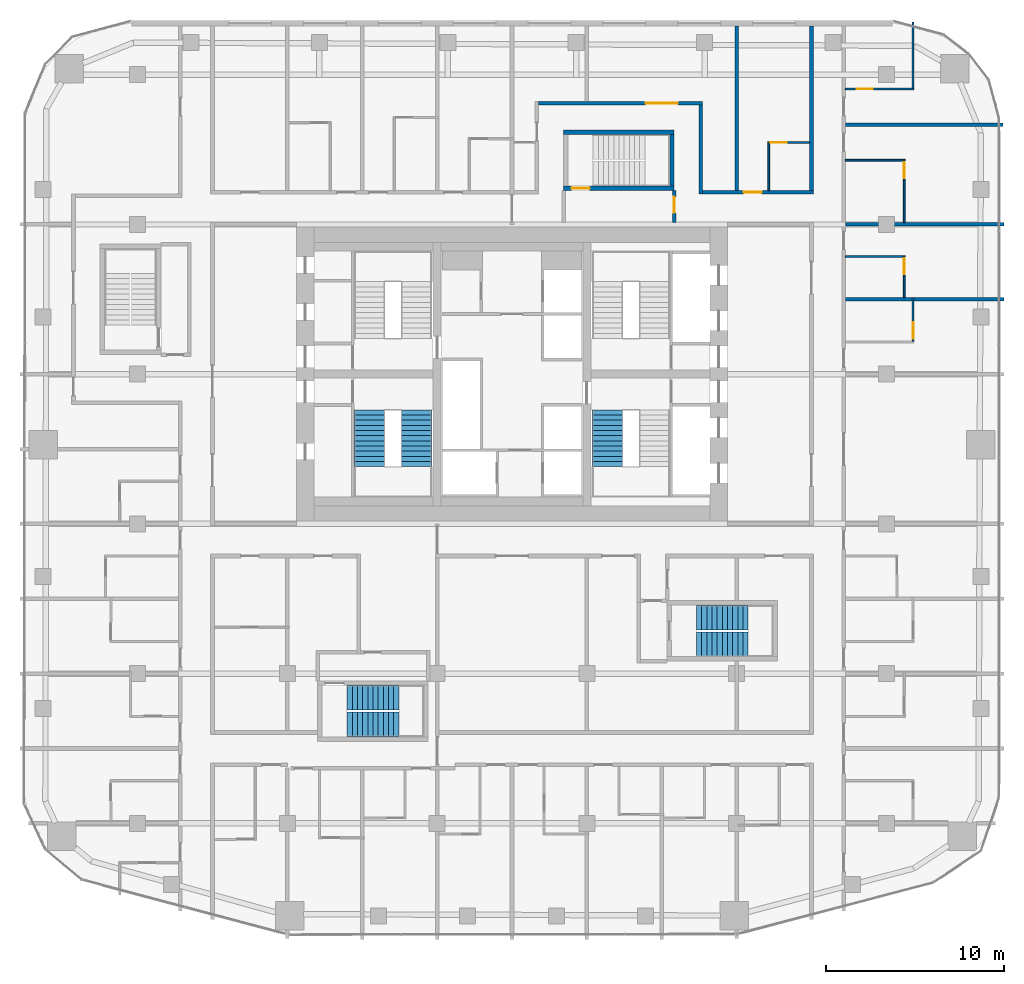
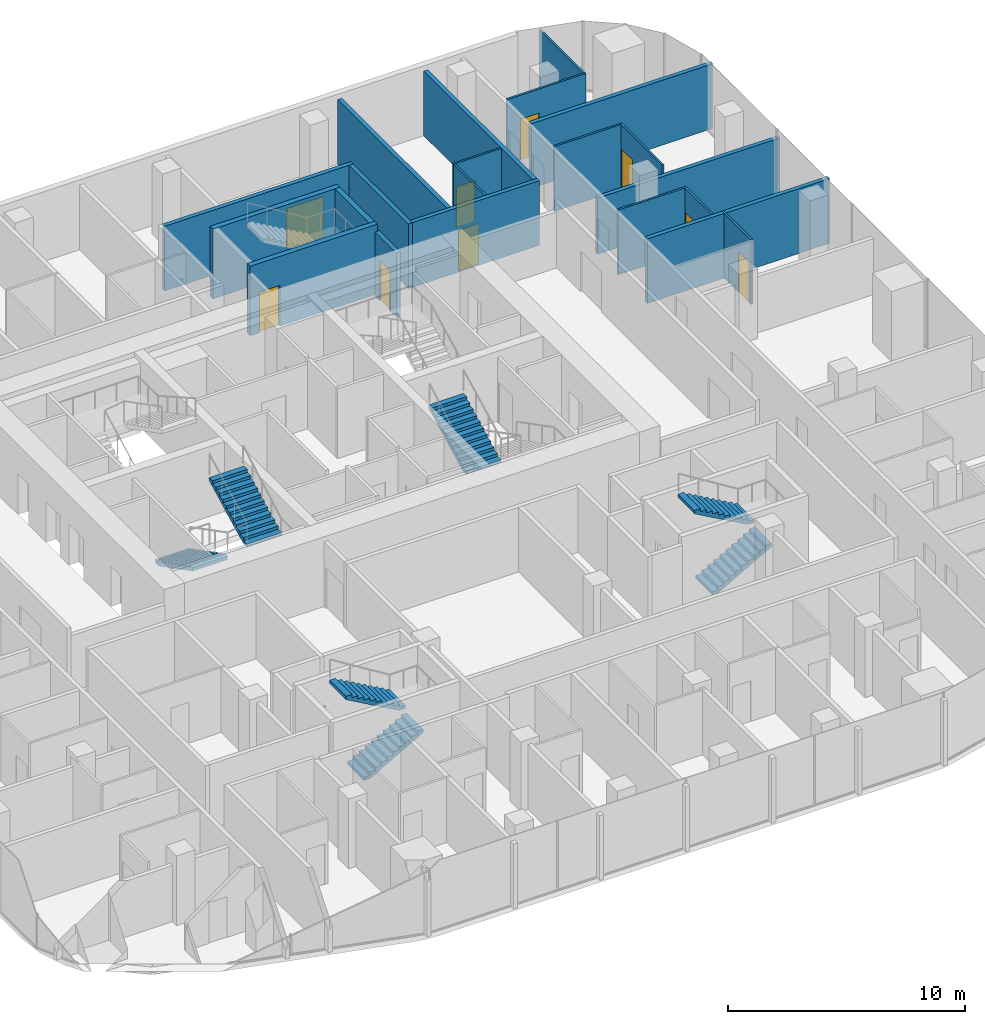
# One storey, part 20 of 23: 21 walls, 9 doors, 7 stair flights, 9 openings, 4 elements without a shape of their own.
"""IFC4 building model written with IfcOpenShell, lengths in metres."""

import ifcopenshell
import ifcopenshell.guid

model = None  # the IFC model being written
_history = None  # IfcOwnerHistory: only IFC2X3 demands one
_inside = {}  # id of a spatial element -> (the spatial element, [elements in it])
_under = {}  # id of a project, library or spatial element -> (it, [spatial elements below it])
_declared = {}  # id of a project -> (the project, [libraries it declares])
_typed = {}  # id of a type object -> (the type object, [elements of that type])
_made_of = {}  # id of a material, layer set ... -> (it, [elements and type objects made of it])


def new_model(schema):
    """Start an empty IFC model of exactly this schema.

    Asked for "IFC4X3", IfcOpenShell would pick the latest addendum, in which some entities
    have other attributes; the version numbers below select the first issue.
    IFC2X3 requires an IfcOwnerHistory on every rooted entity: one is made here for all.
    """
    global model, _history
    if schema == "IFC4X3":
        model = ifcopenshell.file(schema_version=(4, 3, 0, 0))
    else:
        model = ifcopenshell.file(schema=schema)
    _inside.clear()
    _under.clear()
    _declared.clear()
    _typed.clear()
    _made_of.clear()
    _history = None
    if model.schema == "IFC2X3":
        org = make("IfcOrganization", Name="unknown")
        user = make(
            "IfcPersonAndOrganization",
            ThePerson=make("IfcPerson", FamilyName="unknown"),
            TheOrganization=org,
        )
        app = make(
            "IfcApplication",
            ApplicationDeveloper=org,
            Version="unknown",
            ApplicationFullName="unknown",
            ApplicationIdentifier="unknown",
        )
        _history = make(
            "IfcOwnerHistory",
            OwningUser=user,
            OwningApplication=app,
            ChangeAction="ADDED",
            CreationDate=0,
        )
    return model


def make(cls, **values):
    """One entity of the class cls with the attributes given. An attribute that is None is left unset."""
    return model.create_entity(
        cls, **{name: value for name, value in values.items() if value is not None}
    )


def rooted(cls, **values):
    """An entity with a GlobalId (a new one), such as an element, a storey or a relation."""
    return make(cls, GlobalId=ifcopenshell.guid.new(), OwnerHistory=_history, **values)


def si_unit(unit_type, name, prefix=None):
    """IfcSIUnit, for example si_unit("LENGTHUNIT", "METRE", prefix="MILLI")."""
    return make("IfcSIUnit", UnitType=unit_type, Prefix=prefix, Name=name)


def assignment(units):
    """IfcUnitAssignment: the units of a project."""
    return None if units is None else make("IfcUnitAssignment", Units=units)


def point(xyz):
    """IfcCartesianPoint."""
    return None if xyz is None else make("IfcCartesianPoint", Coordinates=xyz)


def direction(xyz):
    """IfcDirection."""
    return None if xyz is None else make("IfcDirection", DirectionRatios=xyz)


def frame(location, z_axis=None, x_axis=None):
    """IfcAxis2Placement3D, a coordinate frame: its origin and axes. An axis left out is left unset."""
    return make(
        "IfcAxis2Placement3D",
        Location=point(location),
        Axis=direction(z_axis),
        RefDirection=direction(x_axis),
    )


def frame_2d(location, x_axis=None):
    """IfcAxis2Placement2D, a coordinate frame in the plane: its origin and x axis."""
    return make(
        "IfcAxis2Placement2D", Location=point(location), RefDirection=direction(x_axis)
    )


def origin():
    """The frame at (0, 0, 0) with its axes left unset."""
    return frame((0.0, 0.0, 0.0))


def place(relative_to, where):
    """IfcLocalPlacement: puts the frame where relative to a parent placement (None: the world)."""
    return make(
        "IfcLocalPlacement", PlacementRelTo=relative_to, RelativePlacement=where
    )


def context(
    kind, dimensions, precision=None, world=None, true_north=None, identifier=None
):
    """IfcGeometricRepresentationContext, for example the 3D "Model" context."""
    return make(
        "IfcGeometricRepresentationContext",
        ContextIdentifier=identifier,
        ContextType=kind,
        CoordinateSpaceDimension=dimensions,
        Precision=precision,
        WorldCoordinateSystem=world,
        TrueNorth=true_north,
    )


def subcontext(parent, identifier, kind, view, scale=None):
    """IfcGeometricRepresentationSubContext, for example "Body" below "Model"."""
    return make(
        "IfcGeometricRepresentationSubContext",
        ContextIdentifier=identifier,
        ContextType=kind,
        ParentContext=parent,
        TargetScale=scale,
        TargetView=view,
    )


def project(units=None, contexts=None):
    """IfcProject with its units and contexts."""
    return rooted(
        "IfcProject",
        Name="project",
        RepresentationContexts=contexts,
        UnitsInContext=assignment(units),
    )


def spatial(cls, under=None, at=None, **own):
    """A site, building, storey or space (cls), placed at a placement, below another one or the project."""
    s = rooted(cls, ObjectPlacement=at, **own)
    if under is not None:
        _under.setdefault(under.id(), (under, []))[1].append(s)
    return s


def polyline(points):
    """IfcPolyline through the points."""
    return make("IfcPolyline", Points=[point(p) for p in points])


def profile(cls, at=None, kind="AREA", **sizes):
    """A parametric profile (cls). Its sizes go by their IFC names, for example OverallWidth=200.0."""
    return make(cls, ProfileType=kind, Position=at, **sizes)


def rectangle(**sizes):
    """IfcRectangleProfileDef."""
    return profile("IfcRectangleProfileDef", **sizes)


def outline(outer, holes=None, kind="AREA"):
    """IfcArbitraryClosedProfileDef: a profile drawn as a closed curve; with holes, ...WithVoids."""
    if holes is None:
        return make("IfcArbitraryClosedProfileDef", ProfileType=kind, OuterCurve=outer)
    return make(
        "IfcArbitraryProfileDefWithVoids",
        ProfileType=kind,
        OuterCurve=outer,
        InnerCurves=holes,
    )


def extrude(swept, where, along, depth):
    """IfcExtrudedAreaSolid: the profile swept, set in the frame where, extruded along a direction by depth."""
    return make(
        "IfcExtrudedAreaSolid",
        SweptArea=swept,
        Position=where,
        ExtrudedDirection=direction(along),
        Depth=depth,
    )


def shape(context_of_items, identifier, shape_type, items):
    """IfcShapeRepresentation: the items that make up one representation, for example the "Body"."""
    return make(
        "IfcShapeRepresentation",
        ContextOfItems=context_of_items,
        RepresentationIdentifier=identifier,
        RepresentationType=shape_type,
        Items=items,
    )


def material(Name=None, Category=None):
    """IfcMaterial."""
    return make("IfcMaterial", Name=Name, Category=Category)


def layer(
    of_material, thickness, ventilated=None, Name=None, Category=None, Priority=None
):
    """IfcMaterialLayer: one layer of a wall or slab, of a material (None: an air gap)."""
    return make(
        "IfcMaterialLayer",
        Material=of_material,
        LayerThickness=thickness,
        IsVentilated=ventilated,
        Name=Name,
        Category=Category,
        Priority=Priority,
    )


def layer_set(layers, Name=None):
    """IfcMaterialLayerSet."""
    return make("IfcMaterialLayerSet", MaterialLayers=layers, LayerSetName=Name)


def made_of(thing, what):
    """Note that an element or type object is made of a material, layer set ...; save() writes the relation."""
    if what is not None:
        _made_of.setdefault(what.id(), (what, []))[1].append(thing)
    return thing


def type_object(cls, material=None, **own):
    """A type object (cls), such as IfcWallType, which elements share."""
    return made_of(rooted(cls, **own), material)


def element(
    cls,
    number,
    at=None,
    inside=None,
    cuts=None,
    type_object=None,
    material=None,
    context=None,
    identifier="Body",
    shape_type=None,
    held_by="IfcProductDefinitionShape",
    body=None,
    shapes=None,
    **own,
):
    """One element of the class cls, such as IfcWall. Its Tag is "e" and its number.

    at: its placement. inside: the storey or other place that contains it. cuts: it is an
    opening in that element (IfcRelVoidsElement). A single representation is given by context,
    identifier, shape_type and body (its items); several are given by shapes. held_by: the class
    of the entity that holds the representations. save() writes the other relations.
    """
    e = rooted(cls, Tag="e%d" % number, ObjectPlacement=at, **own)
    if body is not None:
        shapes = [shape(context, identifier, shape_type, body)]
    if shapes is not None:
        e.Representation = make(held_by, Representations=shapes)
    if inside is not None:
        _inside.setdefault(inside.id(), (inside, []))[1].append(e)
    if cuts is not None:
        rooted(
            "IfcRelVoidsElement", RelatingBuildingElement=cuts, RelatedOpeningElement=e
        )
    if type_object is not None:
        _typed.setdefault(type_object.id(), (type_object, []))[1].append(e)
    return made_of(e, material)


def fill(opening, filler):
    """IfcRelFillsElement: the door or window that sits in an opening."""
    return rooted(
        "IfcRelFillsElement",
        RelatingOpeningElement=opening,
        RelatedBuildingElement=filler,
    )


def aggregate(whole, parts):
    """IfcRelAggregates: a whole, such as a stair, and the parts it consists of."""
    return rooted("IfcRelAggregates", RelatingObject=whole, RelatedObjects=parts)


def save(model, path):
    """Write the relations noted so far, then the file.

    IfcRelAggregates (storeys below a building ...), IfcRelContainedInSpatialStructure (elements
    in a storey), IfcRelDefinesByType, IfcRelAssociatesMaterial and IfcRelDeclares: one each for
    every whole, place, type object, material and project.
    """
    for whole, parts in _under.values():
        aggregate(whole, parts)
    for where, things in _inside.values():
        rooted(
            "IfcRelContainedInSpatialStructure",
            RelatedElements=things,
            RelatingStructure=where,
        )
    for kind, things in _typed.values():
        rooted("IfcRelDefinesByType", RelatedObjects=things, RelatingType=kind)
    for what, things in _made_of.values():
        rooted("IfcRelAssociatesMaterial", RelatedObjects=things, RelatingMaterial=what)
    for by, libraries in _declared.values():
        rooted("IfcRelDeclares", RelatingContext=by, RelatedDefinitions=libraries)
    model.write(path)


model = new_model("IFC4")

# Units and contexts
model_context = context("Model", 3, precision=1e-05, world=origin(), true_north=direction((0.0, 1.0)))
body_context = subcontext(model_context, "Body", "Model", "MODEL_VIEW")
ifc_project = project(units=[si_unit("LENGTHUNIT", "METRE"), si_unit("AREAUNIT", "SQUARE_METRE"), si_unit("VOLUMEUNIT", "CUBIC_METRE"), si_unit("PLANEANGLEUNIT", "RADIAN"), si_unit("MASSUNIT", "GRAM", prefix="KILO")], contexts=[model_context])

# Site, building, storey
site_placement = place(None, origin())
site = spatial("IfcSite", under=ifc_project, at=site_placement, CompositionType="ELEMENT")
building_placement = place(site_placement, origin())
building = spatial("IfcBuilding", under=site, at=building_placement, Name="Marenta Gate Hotel Tower", CompositionType="ELEMENT")
storey_placement = place(building_placement, frame((0.0, 0.0, 104.89990234375)))
storey = spatial("IfcBuildingStorey", under=building, at=storey_placement, Name="L22", CompositionType="ELEMENT", Elevation=104.89990234375)

# Wall, opening, door
ifc_material_1 = material(Name="Concrete C40", Category="concrete")
ifc_layer_1 = layer(ifc_material_1, 0.25)
ifc_layer_set_1 = layer_set([ifc_layer_1], Name="Concrete C40")
wall_type_1 = type_object("IfcWallType", Name="Remote stair enclosure wall 250 REI 180", PredefinedType="SHEAR", material=ifc_layer_set_1)
wall_1_placement = place(storey_placement, frame((2.89990234375, 18.824951171875, 0.10009765625), z_axis=(0.0, 0.0, 1.0), x_axis=(1.0, 0.0, 0.0)))
wall_1 = element("IfcWall", 1, at=wall_1_placement, inside=storey, type_object=wall_type_1, Name="L22-RS-Z2-4-W1", PredefinedType="SHEAR", context=body_context, shape_type="SweptSolid", body=[
    extrude(rectangle(XDim=6.2001953125, YDim=0.25, at=frame_2d((3.10009765625, 0.0))), origin(), (0.0, 0.0, 1.0), 3.60009765625),
])
opening_1_placement = place(wall_1_placement, frame((0.449951171875, 0.0, 0.0)))
opening_1 = element("IfcOpeningElement", 2, at=opening_1_placement, cuts=wall_1, Name="Opening VD", PredefinedType="OPENING", context=body_context, shape_type="SweptSolid", body=[
    extrude(rectangle(XDim=1.0, YDim=2.10009765625, at=frame_2d((0.5, 1.050048828125))), frame((0.0, 0.125, 0.0), z_axis=(0.0, -1.0, 0.0), x_axis=(1.0, 0.0, 0.0)), (0.0, 0.0, 1.0), 0.25),
])
ifc_material_2 = material(Name="Steel", Category="steel")
door_type_1 = type_object("IfcDoorType", Name="Stair vestibule door 1000x2100 FD60", OperationType="SINGLE_SWING_LEFT", PredefinedType="DOOR", material=ifc_material_2)
door_1_placement = place(opening_1_placement, origin())
door_1 = element("IfcDoor", 3, at=door_1_placement, inside=storey, type_object=door_type_1, Name="VD", OperationType="SINGLE_SWING_LEFT", OverallHeight=2.10009765625, OverallWidth=1.0, PredefinedType="DOOR", context=body_context, shape_type="SweptSolid", body=[
    extrude(rectangle(XDim=1.0, YDim=2.10009765625, at=frame_2d((0.5, 1.050048828125))), frame((0.0, 0.02490234375, 0.0), z_axis=(0.0, -1.0, 0.0), x_axis=(1.0, 0.0, 0.0)), (0.0, 0.0, 1.0), 0.050048828125),
])
fill(opening_1, door_1)

# Walls
wall_2_placement = place(storey_placement, frame((2.89990234375, 21.97509765625, 0.10009765625), z_axis=(0.0, 0.0, 1.0), x_axis=(1.0, 0.0, 0.0)))
element("IfcWall", 4, at=wall_2_placement, inside=storey, type_object=wall_type_1, Name="L22-RS-Z2-4-W2", PredefinedType="SHEAR", context=body_context, shape_type="SweptSolid", body=[
    extrude(rectangle(XDim=6.2001953125, YDim=0.25, at=frame_2d((3.10009765625, 0.0))), origin(), (0.0, 0.0, 1.0), 3.60009765625),
])
wall_3_placement = place(storey_placement, frame((8.97509765625, 18.949951171875, 0.10009765625), z_axis=(0.0, 0.0, 1.0), x_axis=(0.0, 1.0, 0.0)))
element("IfcWall", 5, at=wall_3_placement, inside=storey, type_object=wall_type_1, Name="L22-RS-Z2-4-W4", PredefinedType="SHEAR", context=body_context, shape_type="SweptSolid", body=[
    extrude(rectangle(XDim=2.900146484375, YDim=0.25, at=frame_2d((1.4501953125, 0.0))), origin(), (0.0, 0.0, 1.0), 3.60009765625),
])
ifc_material_3 = material(Name="Gypsum board on steel stud", Category="steel")
ifc_layer_2 = layer(ifc_material_3, 0.199951171875)
ifc_layer_set_2 = layer_set([ifc_layer_2], Name="Gypsum board on steel stud")
wall_type_2 = type_object("IfcWallType", Name="Room corridor wall 200 EI 60", PredefinedType="PARTITIONING", material=ifc_layer_set_2)
wall_4_placement = place(storey_placement, frame((16.800048828125, 18.699951171875, 0.0), z_axis=(0.0, 0.0, 1.0), x_axis=(0.0, 1.0, 0.0)))
element("IfcWall", 6, at=wall_4_placement, inside=storey, type_object=wall_type_2, Name="L22-PTN-W018", PredefinedType="PARTITIONING", context=body_context, shape_type="SweptSolid", body=[
    extrude(rectangle(XDim=9.239990234375, YDim=0.199951171875, at=frame_2d((4.6201171875, 0.0))), origin(), (0.0, 0.0, 1.0), 3.340087890625),
])
wall_5_placement = place(storey_placement, frame((10.60009765625, 18.5, 0.0), z_axis=(0.0, 0.0, 1.0), x_axis=(0.0, 1.0, 0.0)))
element("IfcWall", 7, at=wall_5_placement, inside=storey, type_object=wall_type_2, Name="L22-PTN-W042", PredefinedType="PARTITIONING", context=body_context, shape_type="SweptSolid", body=[
    extrude(rectangle(XDim=5.0, YDim=0.199951171875, at=frame_2d((2.5, 0.0))), origin(), (0.0, 0.0, 1.0), 3.340087890625),
])

# Wall, opening, door
wall_6_placement = place(storey_placement, frame((10.699951171875, 18.60009765625, 0.0), z_axis=(0.0, 0.0, 1.0), x_axis=(1.0, 0.0, 0.0)))
wall_6 = element("IfcWall", 8, at=wall_6_placement, inside=storey, type_object=wall_type_2, Name="L22-PTN-W113", PredefinedType="PARTITIONING", context=body_context, shape_type="SweptSolid", body=[
    extrude(rectangle(XDim=6.199951171875, YDim=0.199951171875, at=frame_2d((3.10009765625, 0.0))), origin(), (0.0, 0.0, 1.0), 3.340087890625),
])
opening_2_placement = place(wall_6_placement, frame((2.300048828125, 0.0, 0.0)))
opening_2 = element("IfcOpeningElement", 9, at=opening_2_placement, cuts=wall_6, Name="Opening G08-35", PredefinedType="OPENING", context=body_context, shape_type="SweptSolid", body=[
    extrude(rectangle(XDim=1.0, YDim=2.10009765625, at=frame_2d((0.5, 1.050048828125))), frame((0.0, 0.10009765625, 0.0), z_axis=(0.0, -1.0, 0.0), x_axis=(1.0, 0.0, 0.0)), (0.0, 0.0, 1.0), 0.199951171875),
])
ifc_material_4 = material(Name="Timber door leaf", Category="wood")
door_type_2 = type_object("IfcDoorType", Name="Guest room door 1000x2100 EI 30", OperationType="NOTDEFINED", PredefinedType="DOOR", material=ifc_material_4)
door_2_placement = place(opening_2_placement, origin())
door_2 = element("IfcDoor", 10, at=door_2_placement, inside=storey, type_object=door_type_2, Name="L22-PD-D035", OperationType="SINGLE_SWING_RIGHT", OverallHeight=2.10009765625, OverallWidth=1.0, PredefinedType="DOOR", context=body_context, shape_type="SweptSolid", body=[
    extrude(rectangle(XDim=1.0, YDim=2.10009765625, at=frame_2d((0.5, 1.050048828125))), frame((0.0, 0.02490234375, 0.0), z_axis=(0.0, -1.0, 0.0), x_axis=(1.0, 0.0, 0.0)), (0.0, 0.0, 1.0), 0.050048828125),
])
fill(opening_2, door_2)

wall_7_placement = place(storey_placement, frame((1.5, 23.60009765625, 0.0), z_axis=(0.0, 0.0, 1.0), x_axis=(1.0, 0.0, 0.0)))
wall_7 = element("IfcWall", 11, at=wall_7_placement, inside=storey, type_object=wall_type_2, Name="L22-PTN-W127", PredefinedType="PARTITIONING", context=body_context, shape_type="SweptSolid", body=[
    extrude(rectangle(XDim=9.199951171875, YDim=0.199951171875, at=frame_2d((4.60009765625, 0.0))), origin(), (0.0, 0.0, 1.0), 3.340087890625),
])
opening_3_placement = place(wall_7_placement, frame((6.0, 0.0, 0.0)))
opening_3 = element("IfcOpeningElement", 12, at=opening_3_placement, cuts=wall_7, Name="Opening G08-34", PredefinedType="OPENING", context=body_context, shape_type="SweptSolid", body=[
    extrude(rectangle(XDim=1.800048828125, YDim=2.10009765625, at=frame_2d((0.89990234375, 1.050048828125))), frame((0.0, 0.10009765625, 0.0), z_axis=(0.0, -1.0, 0.0), x_axis=(1.0, 0.0, 0.0)), (0.0, 0.0, 1.0), 0.199951171875),
])
ifc_material_5 = material(Name="Timber door leaf", Category="wood")
door_type_3 = type_object("IfcDoorType", Name="Room amenity door 1800x2100 EI 30", OperationType="DOUBLE_DOOR_SINGLE_SWING", PredefinedType="DOOR", material=ifc_material_5)
door_3_placement = place(opening_3_placement, origin())
door_3 = element("IfcDoor", 13, at=door_3_placement, inside=storey, type_object=door_type_3, Name="L22-PD-D034", OperationType="DOUBLE_DOOR_SINGLE_SWING", OverallHeight=2.10009765625, OverallWidth=1.800048828125, PredefinedType="DOOR", context=body_context, shape_type="SweptSolid", body=[
    extrude(rectangle(XDim=1.800048828125, YDim=2.10009765625, at=frame_2d((0.89990234375, 1.050048828125))), frame((0.0, 0.02490234375, 0.0), z_axis=(0.0, -1.0, 0.0), x_axis=(1.0, 0.0, 0.0)), (0.0, 0.0, 1.0), 0.050048828125),
])
fill(opening_3, door_3)

ifc_material_6 = material(Name="Concrete blockwork", Category="masonry")
ifc_layer_3 = layer(ifc_material_6, 0.199951171875)
ifc_layer_set_3 = layer_set([ifc_layer_3], Name="Concrete blockwork")
wall_type_3 = type_object("IfcWallType", Name="Room corridor wall 200 REI 180", PredefinedType="PARTITIONING", material=ifc_layer_set_3)
wall_8_placement = place(storey_placement, frame((9.10009765625, 16.89990234375, 0.0), z_axis=(0.0, 0.0, 1.0), x_axis=(0.0, 1.0, 0.0)))
wall_8 = element("IfcWall", 14, at=wall_8_placement, inside=storey, type_object=wall_type_3, Name="L22-PTN-W043", PredefinedType="PARTITIONING", context=body_context, shape_type="SweptSolid", body=[
    extrude(rectangle(XDim=1.800048828125, YDim=0.199951171875, at=frame_2d((0.89990234375, 0.0))), origin(), (0.0, 0.0, 1.0), 3.340087890625),
])
opening_4_placement = place(wall_8_placement, frame((0.550048828125, 0.0, 0.0)))
opening_4 = element("IfcOpeningElement", 15, at=opening_4_placement, cuts=wall_8, Name="Opening G08-69", PredefinedType="OPENING", context=body_context, shape_type="SweptSolid", body=[
    extrude(rectangle(XDim=0.89990234375, YDim=2.10009765625, at=frame_2d((0.449951171875, 1.050048828125))), frame((0.0, 0.10009765625, 0.0), z_axis=(0.0, -1.0, 0.0), x_axis=(1.0, 0.0, 0.0)), (0.0, 0.0, 1.0), 0.199951171875),
])
ifc_material_7 = material(Name="Hollow steel door set", Category="steel")
door_type_4 = type_object("IfcDoorType", Name="Stair vestibule door 900x2100 EI 60", OperationType="NOTDEFINED", PredefinedType="DOOR", material=ifc_material_7)
door_4_placement = place(opening_4_placement, origin())
door_4 = element("IfcDoor", 16, at=door_4_placement, inside=storey, type_object=door_type_4, Name="L22-PD-D069", OperationType="SINGLE_SWING_RIGHT", OverallHeight=2.10009765625, OverallWidth=0.89990234375, PredefinedType="DOOR", context=body_context, shape_type="SweptSolid", body=[
    extrude(rectangle(XDim=0.89990234375, YDim=2.10009765625, at=frame_2d((0.449951171875, 1.050048828125))), frame((0.0, 0.02490234375, 0.0), z_axis=(0.0, -1.0, 0.0), x_axis=(1.0, 0.0, 0.0)), (0.0, 0.0, 1.0), 0.050048828125),
])
fill(opening_4, door_4)

ifc_material_8 = material(Name="Gypsum board on steel stud", Category="steel")
ifc_layer_4 = layer(ifc_material_8, 0.10009765625)
ifc_layer_set_4 = layer_set([ifc_layer_4], Name="Gypsum board on steel stud")
wall_type_4 = type_object("IfcWallType", Name="Room partition 100", PredefinedType="PARTITIONING", material=ifc_layer_set_4)
wall_9_placement = place(storey_placement, frame((22.5, 10.25, 0.0), z_axis=(0.0, 0.0, 1.0), x_axis=(0.0, 1.0, 0.0)))
wall_9 = element("IfcWall", 17, at=wall_9_placement, inside=storey, type_object=wall_type_4, Name="L22-PTN-W003", PredefinedType="PARTITIONING", context=body_context, shape_type="SweptSolid", body=[
    extrude(rectangle(XDim=2.449951171875, YDim=0.10009765625, at=frame_2d((1.22509765625, 0.0))), origin(), (0.0, 0.0, 1.0), 3.340087890625),
])
opening_5_placement = place(wall_9_placement, frame((0.14990234375, 0.0, 0.0)))
opening_5 = element("IfcOpeningElement", 18, at=opening_5_placement, cuts=wall_9, Name="Opening G08-18", PredefinedType="OPENING", context=body_context, shape_type="SweptSolid", body=[
    extrude(rectangle(XDim=0.89990234375, YDim=2.10009765625, at=frame_2d((0.449951171875, 1.050048828125))), frame((0.0, 0.050048828125, 0.0), z_axis=(0.0, -1.0, 0.0), x_axis=(1.0, 0.0, 0.0)), (0.0, 0.0, 1.0), 0.10009765625),
])
ifc_material_9 = material(Name="Timber door leaf", Category="wood")
door_type_5 = type_object("IfcDoorType", Name="Guest bathroom door 900x2100", OperationType="NOTDEFINED", PredefinedType="DOOR", material=ifc_material_9)
door_5_placement = place(opening_5_placement, origin())
door_5 = element("IfcDoor", 19, at=door_5_placement, inside=storey, type_object=door_type_5, Name="L22-PD-D018", OperationType="SINGLE_SWING_LEFT", OverallHeight=2.10009765625, OverallWidth=0.89990234375, PredefinedType="DOOR", context=body_context, shape_type="SweptSolid", body=[
    extrude(rectangle(XDim=0.89990234375, YDim=2.10009765625, at=frame_2d((0.449951171875, 1.050048828125))), frame((0.0, 0.02490234375, 0.0), z_axis=(0.0, -1.0, 0.0), x_axis=(1.0, 0.0, 0.0)), (0.0, 0.0, 1.0), 0.050048828125),
])
fill(opening_5, door_5)

# Wall
wall_10_placement = place(storey_placement, frame((22.5, 24.449951171875, 0.0), z_axis=(0.0, 0.0, 1.0), x_axis=(0.0, 1.0, 0.0)))
element("IfcWall", 20, at=wall_10_placement, inside=storey, type_object=wall_type_4, Name="L22-PTN-W004", PredefinedType="PARTITIONING", context=body_context, shape_type="SweptSolid", body=[
    extrude(rectangle(XDim=3.692138671875, YDim=0.10009765625, at=frame_2d((1.84619140625, 0.0))), origin(), (0.0, 0.0, 1.0), 3.340087890625),
])

# Wall, opening, door
wall_11_placement = place(storey_placement, frame((22.0, 12.699951171875, 0.0), z_axis=(0.0, 0.0, 1.0), x_axis=(0.0, 1.0, 0.0)))
wall_11 = element("IfcWall", 21, at=wall_11_placement, inside=storey, type_object=wall_type_4, Name="L22-PTN-W006", PredefinedType="PARTITIONING", context=body_context, shape_type="SweptSolid", body=[
    extrude(rectangle(XDim=2.35009765625, YDim=0.10009765625, at=frame_2d((1.175048828125, 0.0))), origin(), (0.0, 0.0, 1.0), 3.340087890625),
])
opening_6_placement = place(wall_11_placement, frame((1.300048828125, 0.0, 0.0)))
opening_6 = element("IfcOpeningElement", 22, at=opening_6_placement, cuts=wall_11, Name="Opening G08-20", PredefinedType="OPENING", context=body_context, shape_type="SweptSolid", body=[
    extrude(rectangle(XDim=0.89990234375, YDim=2.10009765625, at=frame_2d((0.449951171875, 1.050048828125))), frame((0.0, 0.050048828125, 0.0), z_axis=(0.0, -1.0, 0.0), x_axis=(1.0, 0.0, 0.0)), (0.0, 0.0, 1.0), 0.10009765625),
])
door_6_placement = place(opening_6_placement, origin())
door_6 = element("IfcDoor", 23, at=door_6_placement, inside=storey, type_object=door_type_5, Name="L22-PD-D020", OperationType="SINGLE_SWING_RIGHT", OverallHeight=2.10009765625, OverallWidth=0.89990234375, PredefinedType="DOOR", context=body_context, shape_type="SweptSolid", body=[
    extrude(rectangle(XDim=0.89990234375, YDim=2.10009765625, at=frame_2d((0.449951171875, 1.050048828125))), frame((0.0, 0.02490234375, 0.0), z_axis=(0.0, -1.0, 0.0), x_axis=(1.0, 0.0, 0.0)), (0.0, 0.0, 1.0), 0.050048828125),
])
fill(opening_6, door_6)

wall_12_placement = place(storey_placement, frame((22.0, 16.89990234375, 0.0), z_axis=(0.0, 0.0, 1.0), x_axis=(0.0, 1.0, 0.0)))
wall_12 = element("IfcWall", 24, at=wall_12_placement, inside=storey, type_object=wall_type_4, Name="L22-PTN-W007", PredefinedType="PARTITIONING", context=body_context, shape_type="SweptSolid", body=[
    extrude(rectangle(XDim=3.550048828125, YDim=0.10009765625, at=frame_2d((1.77490234375, 0.0))), origin(), (0.0, 0.0, 1.0), 3.340087890625),
])
opening_7_placement = place(wall_12_placement, frame((2.5, 0.0, 0.0)))
opening_7 = element("IfcOpeningElement", 25, at=opening_7_placement, cuts=wall_12, Name="Opening G08-22", PredefinedType="OPENING", context=body_context, shape_type="SweptSolid", body=[
    extrude(rectangle(XDim=0.89990234375, YDim=2.10009765625, at=frame_2d((0.449951171875, 1.050048828125))), frame((0.0, 0.050048828125, 0.0), z_axis=(0.0, -1.0, 0.0), x_axis=(1.0, 0.0, 0.0)), (0.0, 0.0, 1.0), 0.10009765625),
])
door_7_placement = place(opening_7_placement, origin())
door_7 = element("IfcDoor", 26, at=door_7_placement, inside=storey, type_object=door_type_5, Name="L22-PD-D022", OperationType="SINGLE_SWING_RIGHT", OverallHeight=2.10009765625, OverallWidth=0.89990234375, PredefinedType="DOOR", context=body_context, shape_type="SweptSolid", body=[
    extrude(rectangle(XDim=0.89990234375, YDim=2.10009765625, at=frame_2d((0.449951171875, 1.050048828125))), frame((0.0, 0.02490234375, 0.0), z_axis=(0.0, -1.0, 0.0), x_axis=(1.0, 0.0, 0.0)), (0.0, 0.0, 1.0), 0.050048828125),
])
fill(opening_7, door_7)

# Walls
wall_13_placement = place(storey_placement, frame((14.39990234375, 18.699951171875, 0.0), z_axis=(0.0, 0.0, 1.0), x_axis=(0.0, 1.0, 0.0)))
element("IfcWall", 27, at=wall_13_placement, inside=storey, type_object=wall_type_4, Name="L22-PTN-W025", PredefinedType="PARTITIONING", context=body_context, shape_type="SweptSolid", body=[
    extrude(rectangle(XDim=2.650146484375, YDim=0.10009765625, at=frame_2d((1.3251953125, 0.0))), origin(), (0.0, 0.0, 1.0), 3.340087890625),
])
for number, where, z_axis, x_axis, name in (
    (28, (18.699951171875, 15.0, 0.0), (0.0, 0.0, 1.0), (1.0, 0.0, 0.0), "L22-PTN-W101"),
    (29, (18.699951171875, 20.39990234375, 0.0), (0.0, 0.0, 1.0), (1.0, 0.0, 0.0), "L22-PTN-W114"),
):
    element("IfcWall", number, at=place(storey_placement, frame(where, z_axis=z_axis, x_axis=x_axis)), inside=storey, type_object=wall_type_4, Name=name, PredefinedType="PARTITIONING", context=body_context, shape_type="SweptSolid", body=[
        extrude(rectangle(XDim=3.25, YDim=0.10009765625, at=frame_2d((1.625, 0.0))), origin(), (0.0, 0.0, 1.0), 3.340087890625),
    ])

# Wall, opening, door
wall_14_placement = place(storey_placement, frame((14.35009765625, 21.39990234375, 0.0), z_axis=(0.0, 0.0, 1.0), x_axis=(1.0, 0.0, 0.0)))
wall_14 = element("IfcWall", 30, at=wall_14_placement, inside=storey, type_object=wall_type_4, Name="L22-PTN-W117", PredefinedType="PARTITIONING", context=body_context, shape_type="SweptSolid", body=[
    extrude(rectangle(XDim=2.349853515625, YDim=0.10009765625, at=frame_2d((1.1748046875, 0.0))), origin(), (0.0, 0.0, 1.0), 3.340087890625),
])
opening_8_placement = place(wall_14_placement, frame((0.14990234375, 0.0, 0.0)))
opening_8 = element("IfcOpeningElement", 31, at=opening_8_placement, cuts=wall_14, Name="Opening G08-36", PredefinedType="OPENING", context=body_context, shape_type="SweptSolid", body=[
    extrude(rectangle(XDim=0.89990234375, YDim=2.10009765625, at=frame_2d((0.449951171875, 1.050048828125))), frame((0.0, 0.050048828125, 0.0), z_axis=(0.0, -1.0, 0.0), x_axis=(1.0, 0.0, 0.0)), (0.0, 0.0, 1.0), 0.10009765625),
])
door_8_placement = place(opening_8_placement, origin())
door_8 = element("IfcDoor", 32, at=door_8_placement, inside=storey, type_object=door_type_5, Name="L22-PD-D036", OperationType="SINGLE_SWING_RIGHT", OverallHeight=2.10009765625, OverallWidth=0.89990234375, PredefinedType="DOOR", context=body_context, shape_type="SweptSolid", body=[
    extrude(rectangle(XDim=0.89990234375, YDim=2.10009765625, at=frame_2d((0.449951171875, 1.050048828125))), frame((0.0, 0.02490234375, 0.0), z_axis=(0.0, -1.0, 0.0), x_axis=(1.0, 0.0, 0.0)), (0.0, 0.0, 1.0), 0.050048828125),
])
fill(opening_8, door_8)

wall_15_placement = place(storey_placement, frame((18.699951171875, 24.39990234375, 0.0), z_axis=(0.0, 0.0, 1.0), x_axis=(1.0, 0.0, 0.0)))
wall_15 = element("IfcWall", 33, at=wall_15_placement, inside=storey, type_object=wall_type_4, Name="L22-PTN-W128", PredefinedType="PARTITIONING", context=body_context, shape_type="SweptSolid", body=[
    extrude(rectangle(XDim=3.85009765625, YDim=0.10009765625, at=frame_2d((1.925048828125, 0.0))), origin(), (0.0, 0.0, 1.0), 3.340087890625),
])
opening_9_placement = place(wall_15_placement, frame((0.64501953125, 0.0, 0.0)))
opening_9 = element("IfcOpeningElement", 34, at=opening_9_placement, cuts=wall_15, Name="Opening G08-24", PredefinedType="OPENING", context=body_context, shape_type="SweptSolid", body=[
    extrude(rectangle(XDim=0.89990234375, YDim=2.10009765625, at=frame_2d((0.449951171875, 1.050048828125))), frame((0.0, 0.050048828125, 0.0), z_axis=(0.0, -1.0, 0.0), x_axis=(1.0, 0.0, 0.0)), (0.0, 0.0, 1.0), 0.10009765625),
])
door_9_placement = place(opening_9_placement, origin())
door_9 = element("IfcDoor", 35, at=door_9_placement, inside=storey, type_object=door_type_5, Name="L22-PD-D024", OperationType="SINGLE_SWING_RIGHT", OverallHeight=2.10009765625, OverallWidth=0.89990234375, PredefinedType="DOOR", context=body_context, shape_type="SweptSolid", body=[
    extrude(rectangle(XDim=0.89990234375, YDim=2.10009765625, at=frame_2d((0.449951171875, 1.050048828125))), frame((0.0, 0.02490234375, 0.0), z_axis=(0.0, -1.0, 0.0), x_axis=(1.0, 0.0, 0.0)), (0.0, 0.0, 1.0), 0.050048828125),
])
fill(opening_9, door_9)

# Walls
ifc_material_10 = material(Name="Gypsum board on steel stud", Category="steel")
ifc_layer_5 = layer(ifc_material_10, 0.199951171875)
ifc_layer_set_5 = layer_set([ifc_layer_5], Name="Gypsum board on steel stud")
wall_type_5 = type_object("IfcWallType", Name="Room party wall 200 EI 60", PredefinedType="PARTITIONING", material=ifc_layer_set_5)
wall_16_placement = place(storey_placement, frame((12.60009765625, 18.699951171875, 0.0), z_axis=(0.0, 0.0, 1.0), x_axis=(0.0, 1.0, 0.0)))
element("IfcWall", 36, at=wall_16_placement, inside=storey, type_object=wall_type_5, Name="L22-PTN-W034", PredefinedType="PARTITIONING", context=body_context, shape_type="SweptSolid", body=[
    extrude(rectangle(XDim=9.239990234375, YDim=0.199951171875, at=frame_2d((4.6201171875, 0.0))), origin(), (0.0, 0.0, 1.0), 3.340087890625),
])
wall_17_placement = place(storey_placement, frame((18.699951171875, 12.60009765625, 0.0), z_axis=(0.0, 0.0, 1.0), x_axis=(1.0, 0.0, 0.0)))
element("IfcWall", 37, at=wall_17_placement, inside=storey, type_object=wall_type_5, Name="L22-PTN-W099", PredefinedType="PARTITIONING", context=body_context, shape_type="SweptSolid", body=[
    extrude(rectangle(XDim=8.900146484375, YDim=0.199951171875, at=frame_2d((4.4501953125, 0.0))), origin(), (0.0, 0.0, 1.0), 3.340087890625),
])
wall_18_placement = place(storey_placement, frame((18.699951171875, 16.800048828125, 0.0), z_axis=(0.0, 0.0, 1.0), x_axis=(1.0, 0.0, 0.0)))
element("IfcWall", 38, at=wall_18_placement, inside=storey, type_object=wall_type_5, Name="L22-PTN-W107", PredefinedType="PARTITIONING", context=body_context, shape_type="SweptSolid", body=[
    extrude(rectangle(XDim=8.900146484375, YDim=0.199951171875, at=frame_2d((4.4501953125, 0.0))), origin(), (0.0, 0.0, 1.0), 2.89013671875),
])
wall_19_placement = place(storey_placement, frame((18.699951171875, 22.39990234375, 0.0), z_axis=(0.0, 0.0, 1.0), x_axis=(1.0, 0.0, 0.0)))
element("IfcWall", 39, at=wall_19_placement, inside=storey, type_object=wall_type_5, Name="L22-PTN-W121", PredefinedType="PARTITIONING", context=body_context, shape_type="SweptSolid", body=[
    extrude(rectangle(XDim=8.84716796875, YDim=0.199951171875, at=frame_2d((4.423583984375, 0.0))), origin(), (0.0, 0.0, 1.0), 3.340087890625),
])

# Stair, stair flights
ifc_material_11 = material(Name="Concrete C40", Category="concrete")
stair_type_1 = type_object("IfcStairType", Name="Core exit stair 1700 wide", PredefinedType="HALF_TURN_STAIR", material=ifc_material_11)
stair_1_placement = place(storey_placement, origin())
stair_1 = element("IfcStair", 40, at=stair_1_placement, inside=storey, type_object=stair_type_1, Name="Exit stair 1", PredefinedType="HALF_TURN_STAIR")
ifc_material_12 = material(Name="Concrete C40", Category="concrete")
stair_flight_type_1 = type_object("IfcStairFlightType", Name="Core stair flight 1700 riser 150.0 going 290", PredefinedType="STRAIGHT", material=ifc_material_12)
stair_flight_1_placement = place(storey_placement, frame((-8.0, 6.39990234375, 0.0), z_axis=(0.0, 0.0, 1.0), x_axis=(0.0, -1.0, 0.0)))
stair_flight_1 = element("IfcStairFlight", 41, at=stair_flight_1_placement, type_object=stair_flight_type_1, Name="ST1 flight 1", NumberOfRisers=12, NumberOfTreads=11, PredefinedType="STRAIGHT", RiserHeight=0.15, TreadLength=0.29, context=body_context, shape_type="SweptSolid", body=[
    extrude(outline(polyline([(0.0, 0.0), (0.0, 0.14990234375), (0.2900390625, 0.14990234375), (0.2900390625, 0.300048828125), (0.580078125, 0.300048828125), (0.580078125, 0.449951171875), (0.8701171875, 0.449951171875), (0.8701171875, 0.60009765625), (1.159912109375, 0.60009765625), (1.159912109375, 0.75), (1.449951171875, 0.75), (1.449951171875, 0.89990234375), (1.739990234375, 0.89990234375), (1.739990234375, 1.050048828125), (2.030029296875, 1.050048828125), (2.030029296875, 1.199951171875), (2.320068359375, 1.199951171875), (2.320068359375, 1.35009765625), (2.610107421875, 1.35009765625), (2.610107421875, 1.5), (2.89990234375, 1.5), (2.89990234375, 1.64990234375), (3.18994140625, 1.64990234375), (3.18994140625, 1.800048828125), (3.18994140625, 1.481201171875), (0.326171875, 0.0), (0.0, 0.0)])), frame((0.0, 0.85009765625, 0.0), z_axis=(0.0, -1.0, 0.0), x_axis=(1.0, 0.0, 0.0)), (0.0, 0.0, 1.0), 1.699951171875),
])
stair_flight_2_placement = place(storey_placement, frame((-5.35009765625, 3.2099609375, 1.800048828125), z_axis=(0.0, 0.0, 1.0), x_axis=(0.0, 1.0, 0.0)))
stair_flight_2 = element("IfcStairFlight", 42, at=stair_flight_2_placement, type_object=stair_flight_type_1, Name="ST1 flight 2", NumberOfRisers=12, NumberOfTreads=11, PredefinedType="STRAIGHT", RiserHeight=0.15, TreadLength=0.29, context=body_context, shape_type="SweptSolid", body=[
    extrude(outline(polyline([(0.0, 0.0), (0.0, 0.14990234375), (0.2900390625, 0.14990234375), (0.2900390625, 0.300048828125), (0.580078125, 0.300048828125), (0.580078125, 0.449951171875), (0.8701171875, 0.449951171875), (0.8701171875, 0.60009765625), (1.159912109375, 0.60009765625), (1.159912109375, 0.75), (1.449951171875, 0.75), (1.449951171875, 0.89990234375), (1.739990234375, 0.89990234375), (1.739990234375, 1.050048828125), (2.030029296875, 1.050048828125), (2.030029296875, 1.199951171875), (2.320068359375, 1.199951171875), (2.320068359375, 1.35009765625), (2.610107421875, 1.35009765625), (2.610107421875, 1.5), (2.89990234375, 1.5), (2.89990234375, 1.64990234375), (3.18994140625, 1.64990234375), (3.18994140625, 1.800048828125), (3.18994140625, 1.481201171875), (0.326171875, 0.0), (0.0, 0.0)])), frame((0.0, 0.85009765625, 0.0), z_axis=(0.0, -1.0, 0.0), x_axis=(1.0, 0.0, 0.0)), (0.0, 0.0, 1.0), 1.699951171875),
])
aggregate(stair_1, [stair_flight_1, stair_flight_2])

# Stair, stair flight
stair_2_placement = place(storey_placement, origin())
stair_2 = element("IfcStair", 43, at=stair_2_placement, inside=storey, type_object=stair_type_1, Name="Exit stair 3", PredefinedType="HALF_TURN_STAIR")
stair_flight_3_placement = place(storey_placement, frame((5.35009765625, 3.2099609375, 1.800048828125), z_axis=(0.0, 0.0, 1.0), x_axis=(0.0, 1.0, 0.0)))
stair_flight_3 = element("IfcStairFlight", 44, at=stair_flight_3_placement, type_object=stair_flight_type_1, Name="ST3 flight 2", NumberOfRisers=12, NumberOfTreads=11, PredefinedType="STRAIGHT", RiserHeight=0.15, TreadLength=0.29, context=body_context, shape_type="SweptSolid", body=[
    extrude(outline(polyline([(0.0, 0.0), (0.0, 0.14990234375), (0.2900390625, 0.14990234375), (0.2900390625, 0.300048828125), (0.580078125, 0.300048828125), (0.580078125, 0.449951171875), (0.8701171875, 0.449951171875), (0.8701171875, 0.60009765625), (1.159912109375, 0.60009765625), (1.159912109375, 0.75), (1.449951171875, 0.75), (1.449951171875, 0.89990234375), (1.739990234375, 0.89990234375), (1.739990234375, 1.050048828125), (2.030029296875, 1.050048828125), (2.030029296875, 1.199951171875), (2.320068359375, 1.199951171875), (2.320068359375, 1.35009765625), (2.610107421875, 1.35009765625), (2.610107421875, 1.5), (2.89990234375, 1.5), (2.89990234375, 1.64990234375), (3.18994140625, 1.64990234375), (3.18994140625, 1.800048828125), (3.18994140625, 1.481201171875), (0.326171875, 0.0), (0.0, 0.0)])), frame((0.0, 0.85009765625, 0.0), z_axis=(0.0, -1.0, 0.0), x_axis=(1.0, 0.0, 0.0)), (0.0, 0.0, 1.0), 1.699951171875),
])
aggregate(stair_2, [stair_flight_3])

# Stair, stair flights
ifc_material_13 = material(Name="Concrete C40", Category="concrete")
stair_type_2 = type_object("IfcStairType", Name="Remote exit stair 1400 wide", PredefinedType="HALF_TURN_STAIR", material=ifc_material_13)
stair_3_placement = place(storey_placement, origin())
stair_3 = element("IfcStair", 45, at=stair_3_placement, inside=storey, type_object=stair_type_2, Name="Exit stair RS-Z2-1", PredefinedType="HALF_TURN_STAIR")
ifc_material_14 = material(Name="Concrete C40", Category="concrete")
stair_flight_type_2 = type_object("IfcStairFlightType", Name="Remote stair flight 1400 riser 163.6 going 290", PredefinedType="STRAIGHT", material=ifc_material_14)
stair_flight_4_placement = place(storey_placement, frame((-9.25, -11.25, 0.0), z_axis=(0.0, 0.0, 1.0), x_axis=(1.0, 0.0, 0.0)))
stair_flight_4 = element("IfcStairFlight", 46, at=stair_flight_4_placement, type_object=stair_flight_type_2, Name="RS-Z2-1 flight 1", NumberOfRisers=11, NumberOfTreads=10, PredefinedType="STRAIGHT", RiserHeight=0.163636, TreadLength=0.29, context=body_context, shape_type="SweptSolid", body=[
    extrude(outline(polyline([(0.0, 0.0), (0.0, 0.16357421875), (0.2900390625, 0.16357421875), (0.2900390625, 0.327392578125), (0.580078125, 0.327392578125), (0.580078125, 0.490966796875), (0.8701171875, 0.490966796875), (0.8701171875, 0.654541015625), (1.159912109375, 0.654541015625), (1.159912109375, 0.818115234375), (1.449951171875, 0.818115234375), (1.449951171875, 0.98193359375), (1.739990234375, 0.98193359375), (1.739990234375, 1.1455078125), (2.030029296875, 1.1455078125), (2.030029296875, 1.30908203125), (2.320068359375, 1.30908203125), (2.320068359375, 1.47265625), (2.610107421875, 1.47265625), (2.610107421875, 1.636474609375), (2.89990234375, 1.636474609375), (2.89990234375, 1.800048828125), (2.89990234375, 1.46435546875), (0.304931640625, 0.0), (0.0, 0.0)])), frame((0.0, 0.699951171875, 0.0), z_axis=(0.0, -1.0, 0.0), x_axis=(1.0, 0.0, 0.0)), (0.0, 0.0, 1.0), 1.39990234375),
])
stair_flight_5_placement = place(storey_placement, frame((-6.35009765625, -9.75, 1.800048828125), z_axis=(0.0, 0.0, 1.0), x_axis=(-1.0, 0.0, 0.0)))
stair_flight_5 = element("IfcStairFlight", 47, at=stair_flight_5_placement, type_object=stair_flight_type_2, Name="RS-Z2-1 flight 2", NumberOfRisers=11, NumberOfTreads=10, PredefinedType="STRAIGHT", RiserHeight=0.163636, TreadLength=0.29, context=body_context, shape_type="SweptSolid", body=[
    extrude(outline(polyline([(0.0, 0.0), (0.0, 0.16357421875), (0.2900390625, 0.16357421875), (0.2900390625, 0.327392578125), (0.580078125, 0.327392578125), (0.580078125, 0.490966796875), (0.8701171875, 0.490966796875), (0.8701171875, 0.654541015625), (1.159912109375, 0.654541015625), (1.159912109375, 0.818115234375), (1.449951171875, 0.818115234375), (1.449951171875, 0.98193359375), (1.739990234375, 0.98193359375), (1.739990234375, 1.1455078125), (2.030029296875, 1.1455078125), (2.030029296875, 1.30908203125), (2.320068359375, 1.30908203125), (2.320068359375, 1.47265625), (2.610107421875, 1.47265625), (2.610107421875, 1.636474609375), (2.89990234375, 1.636474609375), (2.89990234375, 1.800048828125), (2.89990234375, 1.46435546875), (0.304931640625, 0.0), (0.0, 0.0)])), frame((0.0, 0.699951171875, 0.0), z_axis=(0.0, -1.0, 0.0), x_axis=(1.0, 0.0, 0.0)), (0.0, 0.0, 1.0), 1.39990234375),
])
aggregate(stair_3, [stair_flight_4, stair_flight_5])

stair_4_placement = place(storey_placement, origin())
stair_4 = element("IfcStair", 48, at=stair_4_placement, inside=storey, type_object=stair_type_2, Name="Exit stair RS-Z2-2", PredefinedType="HALF_TURN_STAIR")
stair_flight_6_placement = place(storey_placement, frame((10.35009765625, -6.75, 0.0), z_axis=(0.0, 0.0, 1.0), x_axis=(1.0, 0.0, 0.0)))
stair_flight_6 = element("IfcStairFlight", 49, at=stair_flight_6_placement, type_object=stair_flight_type_2, Name="RS-Z2-2 flight 1", NumberOfRisers=11, NumberOfTreads=10, PredefinedType="STRAIGHT", RiserHeight=0.163636, TreadLength=0.29, context=body_context, shape_type="SweptSolid", body=[
    extrude(outline(polyline([(0.0, 0.0), (0.0, 0.16357421875), (0.2900390625, 0.16357421875), (0.2900390625, 0.327392578125), (0.580078125, 0.327392578125), (0.580078125, 0.490966796875), (0.8701171875, 0.490966796875), (0.8701171875, 0.654541015625), (1.159912109375, 0.654541015625), (1.159912109375, 0.818115234375), (1.449951171875, 0.818115234375), (1.449951171875, 0.98193359375), (1.739990234375, 0.98193359375), (1.739990234375, 1.1455078125), (2.030029296875, 1.1455078125), (2.030029296875, 1.30908203125), (2.320068359375, 1.30908203125), (2.320068359375, 1.47265625), (2.610107421875, 1.47265625), (2.610107421875, 1.636474609375), (2.89990234375, 1.636474609375), (2.89990234375, 1.800048828125), (2.89990234375, 1.46435546875), (0.304931640625, 0.0), (0.0, 0.0)])), frame((0.0, 0.699951171875, 0.0), z_axis=(0.0, -1.0, 0.0), x_axis=(1.0, 0.0, 0.0)), (0.0, 0.0, 1.0), 1.39990234375),
])
stair_flight_7_placement = place(storey_placement, frame((13.25, -5.25, 1.800048828125), z_axis=(0.0, 0.0, 1.0), x_axis=(-1.0, 0.0, 0.0)))
stair_flight_7 = element("IfcStairFlight", 50, at=stair_flight_7_placement, type_object=stair_flight_type_2, Name="RS-Z2-2 flight 2", NumberOfRisers=11, NumberOfTreads=10, PredefinedType="STRAIGHT", RiserHeight=0.163636, TreadLength=0.29, context=body_context, shape_type="SweptSolid", body=[
    extrude(outline(polyline([(0.0, 0.0), (0.0, 0.16357421875), (0.2900390625, 0.16357421875), (0.2900390625, 0.327392578125), (0.580078125, 0.327392578125), (0.580078125, 0.490966796875), (0.8701171875, 0.490966796875), (0.8701171875, 0.654541015625), (1.159912109375, 0.654541015625), (1.159912109375, 0.818115234375), (1.449951171875, 0.818115234375), (1.449951171875, 0.98193359375), (1.739990234375, 0.98193359375), (1.739990234375, 1.1455078125), (2.030029296875, 1.1455078125), (2.030029296875, 1.30908203125), (2.320068359375, 1.30908203125), (2.320068359375, 1.47265625), (2.610107421875, 1.47265625), (2.610107421875, 1.636474609375), (2.89990234375, 1.636474609375), (2.89990234375, 1.800048828125), (2.89990234375, 1.46435546875), (0.304931640625, 0.0), (0.0, 0.0)])), frame((0.0, 0.699951171875, 0.0), z_axis=(0.0, -1.0, 0.0), x_axis=(1.0, 0.0, 0.0)), (0.0, 0.0, 1.0), 1.39990234375),
])
aggregate(stair_4, [stair_flight_6, stair_flight_7])

save(model, "model.ifc")
